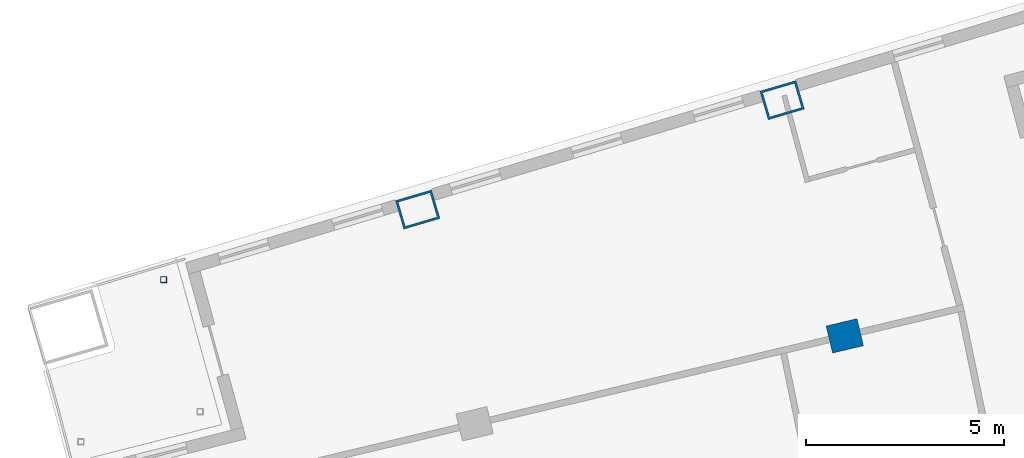
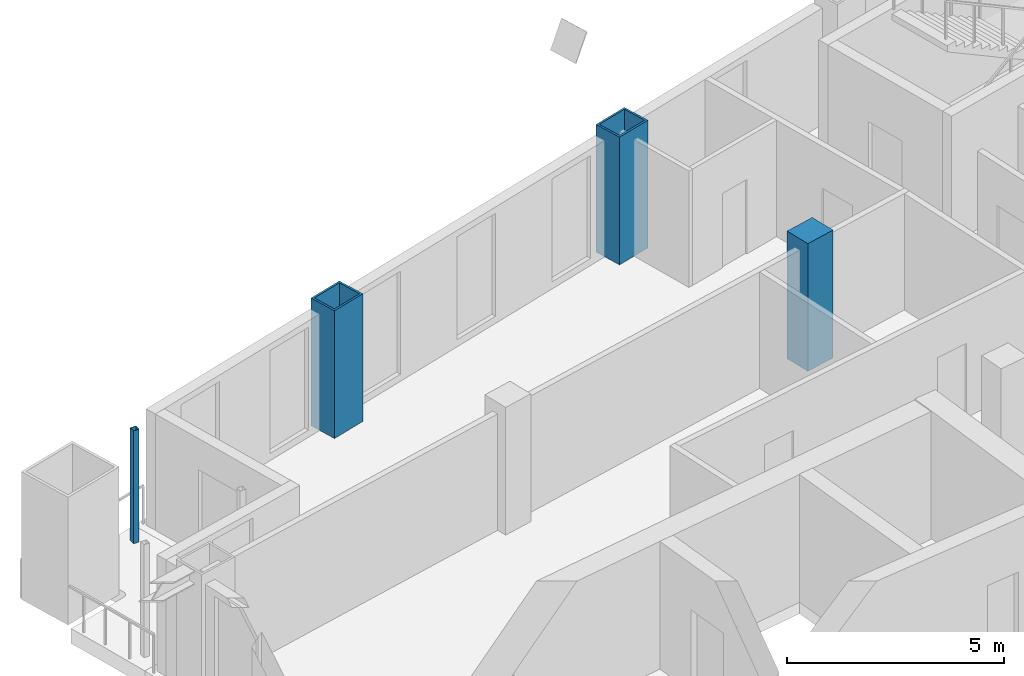
# One storey, part 7 of 17: 4 columns.
"""IFC4 building model written with IfcOpenShell, lengths in metres."""

import ifcopenshell
import ifcopenshell.guid

model = None  # the IFC model being written
_history = None  # IfcOwnerHistory: only IFC2X3 demands one
_inside = {}  # id of a spatial element -> (the spatial element, [elements in it])
_under = {}  # id of a project, library or spatial element -> (it, [spatial elements below it])
_declared = {}  # id of a project -> (the project, [libraries it declares])
_typed = {}  # id of a type object -> (the type object, [elements of that type])
_made_of = {}  # id of a material, layer set ... -> (it, [elements and type objects made of it])


def new_model(schema):
    """Start an empty IFC model of exactly this schema.

    Asked for "IFC4X3", IfcOpenShell would pick the latest addendum, in which some entities
    have other attributes; the version numbers below select the first issue.
    IFC2X3 requires an IfcOwnerHistory on every rooted entity: one is made here for all.
    """
    global model, _history
    if schema == "IFC4X3":
        model = ifcopenshell.file(schema_version=(4, 3, 0, 0))
    else:
        model = ifcopenshell.file(schema=schema)
    _inside.clear()
    _under.clear()
    _declared.clear()
    _typed.clear()
    _made_of.clear()
    _history = None
    if model.schema == "IFC2X3":
        org = make("IfcOrganization", Name="unknown")
        user = make(
            "IfcPersonAndOrganization",
            ThePerson=make("IfcPerson", FamilyName="unknown"),
            TheOrganization=org,
        )
        app = make(
            "IfcApplication",
            ApplicationDeveloper=org,
            Version="unknown",
            ApplicationFullName="unknown",
            ApplicationIdentifier="unknown",
        )
        _history = make(
            "IfcOwnerHistory",
            OwningUser=user,
            OwningApplication=app,
            ChangeAction="ADDED",
            CreationDate=0,
        )
    return model


def make(cls, **values):
    """One entity of the class cls with the attributes given. An attribute that is None is left unset."""
    return model.create_entity(
        cls, **{name: value for name, value in values.items() if value is not None}
    )


def rooted(cls, **values):
    """An entity with a GlobalId (a new one), such as an element, a storey or a relation."""
    return make(cls, GlobalId=ifcopenshell.guid.new(), OwnerHistory=_history, **values)


def si_unit(unit_type, name, prefix=None):
    """IfcSIUnit, for example si_unit("LENGTHUNIT", "METRE", prefix="MILLI")."""
    return make("IfcSIUnit", UnitType=unit_type, Prefix=prefix, Name=name)


def assignment(units):
    """IfcUnitAssignment: the units of a project."""
    return None if units is None else make("IfcUnitAssignment", Units=units)


def point(xyz):
    """IfcCartesianPoint."""
    return None if xyz is None else make("IfcCartesianPoint", Coordinates=xyz)


def direction(xyz):
    """IfcDirection."""
    return None if xyz is None else make("IfcDirection", DirectionRatios=xyz)


def frame(location, z_axis=None, x_axis=None):
    """IfcAxis2Placement3D, a coordinate frame: its origin and axes. An axis left out is left unset."""
    return make(
        "IfcAxis2Placement3D",
        Location=point(location),
        Axis=direction(z_axis),
        RefDirection=direction(x_axis),
    )


def frame_2d(location, x_axis=None):
    """IfcAxis2Placement2D, a coordinate frame in the plane: its origin and x axis."""
    return make(
        "IfcAxis2Placement2D", Location=point(location), RefDirection=direction(x_axis)
    )


def origin():
    """The frame at (0, 0, 0) with its axes left unset."""
    return frame((0.0, 0.0, 0.0))


def origin_2d():
    """The frame at (0, 0) in the plane with its x axis left unset."""
    return frame_2d((0.0, 0.0))


def place(relative_to, where):
    """IfcLocalPlacement: puts the frame where relative to a parent placement (None: the world)."""
    return make(
        "IfcLocalPlacement", PlacementRelTo=relative_to, RelativePlacement=where
    )


def context(
    kind, dimensions, precision=None, world=None, true_north=None, identifier=None
):
    """IfcGeometricRepresentationContext, for example the 3D "Model" context."""
    return make(
        "IfcGeometricRepresentationContext",
        ContextIdentifier=identifier,
        ContextType=kind,
        CoordinateSpaceDimension=dimensions,
        Precision=precision,
        WorldCoordinateSystem=world,
        TrueNorth=true_north,
    )


def subcontext(parent, identifier, kind, view, scale=None):
    """IfcGeometricRepresentationSubContext, for example "Body" below "Model"."""
    return make(
        "IfcGeometricRepresentationSubContext",
        ContextIdentifier=identifier,
        ContextType=kind,
        ParentContext=parent,
        TargetScale=scale,
        TargetView=view,
    )


def project(units=None, contexts=None):
    """IfcProject with its units and contexts."""
    return rooted(
        "IfcProject",
        Name="project",
        RepresentationContexts=contexts,
        UnitsInContext=assignment(units),
    )


def spatial(cls, under=None, at=None, **own):
    """A site, building, storey or space (cls), placed at a placement, below another one or the project."""
    s = rooted(cls, ObjectPlacement=at, **own)
    if under is not None:
        _under.setdefault(under.id(), (under, []))[1].append(s)
    return s


def profile(cls, at=None, kind="AREA", **sizes):
    """A parametric profile (cls). Its sizes go by their IFC names, for example OverallWidth=200.0."""
    return make(cls, ProfileType=kind, Position=at, **sizes)


def rectangle(**sizes):
    """IfcRectangleProfileDef."""
    return profile("IfcRectangleProfileDef", **sizes)


def hollow_rectangle(**sizes):
    """IfcRectangleHollowProfileDef."""
    return profile("IfcRectangleHollowProfileDef", **sizes)


def extrude(swept, where, along, depth):
    """IfcExtrudedAreaSolid: the profile swept, set in the frame where, extruded along a direction by depth."""
    return make(
        "IfcExtrudedAreaSolid",
        SweptArea=swept,
        Position=where,
        ExtrudedDirection=direction(along),
        Depth=depth,
    )


def shape(context_of_items, identifier, shape_type, items):
    """IfcShapeRepresentation: the items that make up one representation, for example the "Body"."""
    return make(
        "IfcShapeRepresentation",
        ContextOfItems=context_of_items,
        RepresentationIdentifier=identifier,
        RepresentationType=shape_type,
        Items=items,
    )


def material(Name=None, Category=None):
    """IfcMaterial."""
    return make("IfcMaterial", Name=Name, Category=Category)


def material_profile(
    of_material, cross_section, Name=None, Category=None, Priority=None
):
    """IfcMaterialProfile: a cross section and its material."""
    return make(
        "IfcMaterialProfile",
        Name=Name,
        Material=of_material,
        Profile=cross_section,
        Priority=Priority,
        Category=Category,
    )


def profile_set(profiles, Name=None, composite=None):
    """IfcMaterialProfileSet."""
    return make(
        "IfcMaterialProfileSet",
        Name=Name,
        MaterialProfiles=profiles,
        CompositeProfile=composite,
    )


def made_of(thing, what):
    """Note that an element or type object is made of a material, layer set ...; save() writes the relation."""
    if what is not None:
        _made_of.setdefault(what.id(), (what, []))[1].append(thing)
    return thing


def type_object(cls, material=None, **own):
    """A type object (cls), such as IfcWallType, which elements share."""
    return made_of(rooted(cls, **own), material)


def element(
    cls,
    number,
    at=None,
    inside=None,
    cuts=None,
    type_object=None,
    material=None,
    context=None,
    identifier="Body",
    shape_type=None,
    held_by="IfcProductDefinitionShape",
    body=None,
    shapes=None,
    **own,
):
    """One element of the class cls, such as IfcWall. Its Tag is "e" and its number.

    at: its placement. inside: the storey or other place that contains it. cuts: it is an
    opening in that element (IfcRelVoidsElement). A single representation is given by context,
    identifier, shape_type and body (its items); several are given by shapes. held_by: the class
    of the entity that holds the representations. save() writes the other relations.
    """
    e = rooted(cls, Tag="e%d" % number, ObjectPlacement=at, **own)
    if body is not None:
        shapes = [shape(context, identifier, shape_type, body)]
    if shapes is not None:
        e.Representation = make(held_by, Representations=shapes)
    if inside is not None:
        _inside.setdefault(inside.id(), (inside, []))[1].append(e)
    if cuts is not None:
        rooted(
            "IfcRelVoidsElement", RelatingBuildingElement=cuts, RelatedOpeningElement=e
        )
    if type_object is not None:
        _typed.setdefault(type_object.id(), (type_object, []))[1].append(e)
    return made_of(e, material)


def aggregate(whole, parts):
    """IfcRelAggregates: a whole, such as a stair, and the parts it consists of."""
    return rooted("IfcRelAggregates", RelatingObject=whole, RelatedObjects=parts)


def save(model, path):
    """Write the relations noted so far, then the file.

    IfcRelAggregates (storeys below a building ...), IfcRelContainedInSpatialStructure (elements
    in a storey), IfcRelDefinesByType, IfcRelAssociatesMaterial and IfcRelDeclares: one each for
    every whole, place, type object, material and project.
    """
    for whole, parts in _under.values():
        aggregate(whole, parts)
    for where, things in _inside.values():
        rooted(
            "IfcRelContainedInSpatialStructure",
            RelatedElements=things,
            RelatingStructure=where,
        )
    for kind, things in _typed.values():
        rooted("IfcRelDefinesByType", RelatedObjects=things, RelatingType=kind)
    for what, things in _made_of.values():
        rooted("IfcRelAssociatesMaterial", RelatedObjects=things, RelatingMaterial=what)
    for by, libraries in _declared.values():
        rooted("IfcRelDeclares", RelatingContext=by, RelatedDefinitions=libraries)
    model.write(path)


model = new_model("IFC4")

# Units and contexts
model_context = context("Model", 3, precision=1e-05, world=origin(), true_north=direction((0.0, 1.0)))
body_context = subcontext(model_context, "Body", "Model", "MODEL_VIEW")
ifc_project = project(units=[si_unit("LENGTHUNIT", "METRE"), si_unit("AREAUNIT", "SQUARE_METRE"), si_unit("VOLUMEUNIT", "CUBIC_METRE"), si_unit("PLANEANGLEUNIT", "RADIAN"), si_unit("MASSUNIT", "GRAM", prefix="KILO")], contexts=[model_context])

# Site, building, storey
site_placement = place(None, origin())
site = spatial("IfcSite", under=ifc_project, at=site_placement, CompositionType="ELEMENT")
building_placement = place(site_placement, origin())
building = spatial("IfcBuilding", under=site, at=building_placement, Name="Alderwake Tower", CompositionType="ELEMENT")
storey_placement = place(building_placement, frame((0.0, 0.0, 218.0)))
storey = spatial("IfcBuildingStorey", under=building, at=storey_placement, Name="L54", CompositionType="ELEMENT", Elevation=218.0)

# Columns
ifc_material_1 = material(Name="Steel ASTM A572 Grade 50 concrete filled C70/85", Category="concrete")
ifc_material_profile_1 = material_profile(ifc_material_1, hollow_rectangle(XDim=0.75, YDim=0.949951171875, WallThickness=0.054931640625, at=origin_2d()), Name="BOX 950X750X55")
ifc_profile_set_1 = profile_set([ifc_material_profile_1], Name="Steel ASTM A572 Grade 50 concrete filled C70/85")
column_type_1 = type_object("IfcColumnType", Name="End column Z4", PredefinedType="COLUMN", material=ifc_profile_set_1)
for number, where, z_axis, x_axis, name in (
    (1, (21.885498046875, 90.96240234375, 0.0), (0.0, 0.0, 1.0), (-0.282132160283, 0.95937554906, 0.0), "Column R12-C1"),
    (2, (31.080322265625, 93.72314453125, 0.0), (0.0, 0.0, 1.0), (-0.282582549822, 0.959242984095, 0.0), "Column R12-C2"),
):
    element("IfcColumn", number, at=place(storey_placement, frame(where, z_axis=z_axis, x_axis=x_axis)), inside=storey, type_object=column_type_1, Name=name, PredefinedType="COLUMN", context=body_context, shape_type="SweptSolid", body=[
        extrude(hollow_rectangle(XDim=0.75, YDim=0.949951171875, WallThickness=0.054931640625, at=origin_2d()), origin(), (0.0, 0.0, 1.0), 3.60009765625),
    ])
ifc_material_2 = material(Name="Concrete C70/85", Category="concrete")
ifc_material_profile_2 = material_profile(ifc_material_2, rectangle(XDim=0.699951171875, YDim=0.800048828125, at=origin_2d()), Name="RC 800X700")
ifc_profile_set_2 = profile_set([ifc_material_profile_2], Name="Concrete C70/85")
column_type_2 = type_object("IfcColumnType", Name="Interior column Z4", PredefinedType="COLUMN", material=ifc_profile_set_2)
column_1_placement = place(storey_placement, frame((32.661865234375, 87.775390625, 0.0), z_axis=(0.0, 0.0, 1.0), x_axis=(-0.231221547198, 0.972901123502, 0.0)))
element("IfcColumn", 3, at=column_1_placement, inside=storey, type_object=column_type_2, Name="Column R11-C2", PredefinedType="COLUMN", context=body_context, shape_type="SweptSolid", body=[
    extrude(rectangle(XDim=0.699951171875, YDim=0.800048828125, at=origin_2d()), origin(), (0.0, 0.0, 1.0), 3.60009765625),
])
ifc_material_3 = material(Name="Steel ASTM A500 Grade C", Category="steel")
ifc_material_profile_3 = material_profile(ifc_material_3, hollow_rectangle(XDim=0.15234375, YDim=0.15234375, WallThickness=0.0087890625, at=origin_2d()), Name="HSS6X6X3/8")
ifc_profile_set_3 = profile_set([ifc_material_profile_3], Name="Steel ASTM A500 Grade C")
column_type_3 = type_object("IfcColumnType", Name="Light post HSS6X6X3/8", PredefinedType="COLUMN", material=ifc_profile_set_3)
column_2_placement = place(storey_placement, frame((15.47412109375, 89.194091796875, 0.0), z_axis=(0.0, 0.0, 1.0), x_axis=(1.0, 0.0, 0.0)))
element("IfcColumn", 4, at=column_2_placement, inside=storey, type_object=column_type_3, Name="Terrace post RN2", PredefinedType="COLUMN", context=body_context, shape_type="SweptSolid", body=[
    extrude(hollow_rectangle(XDim=0.15234375, YDim=0.15234375, WallThickness=0.0087890625, at=origin_2d()), origin(), (0.0, 0.0, 1.0), 3.179931640625),
])

save(model, "model.ifc")
